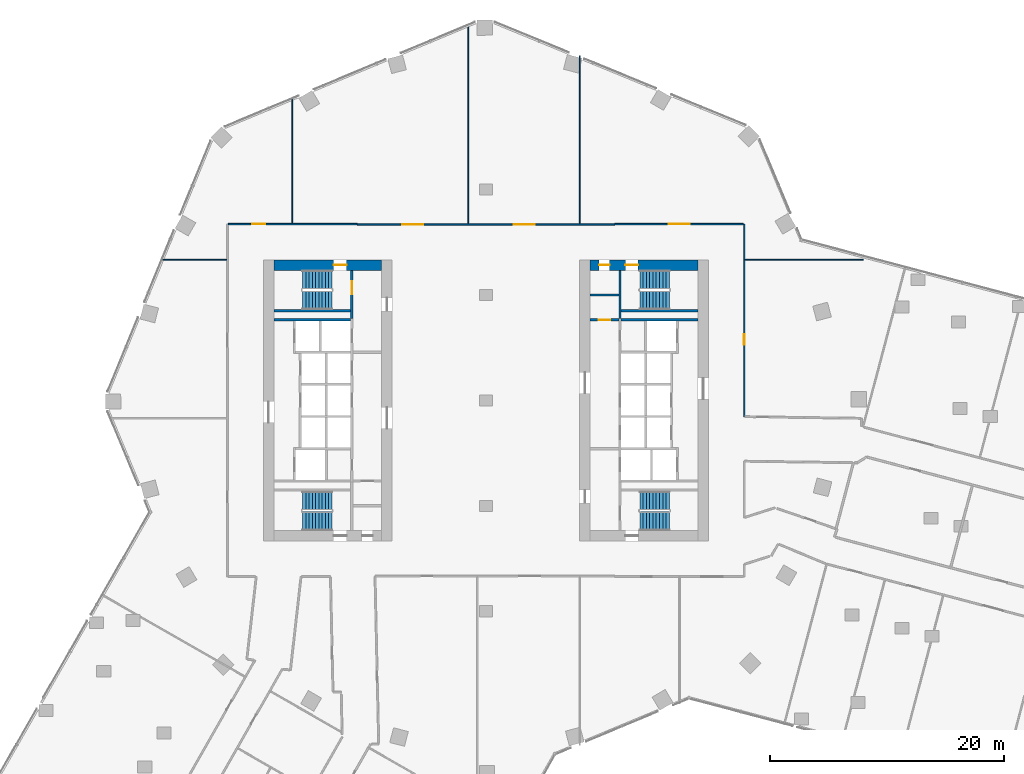
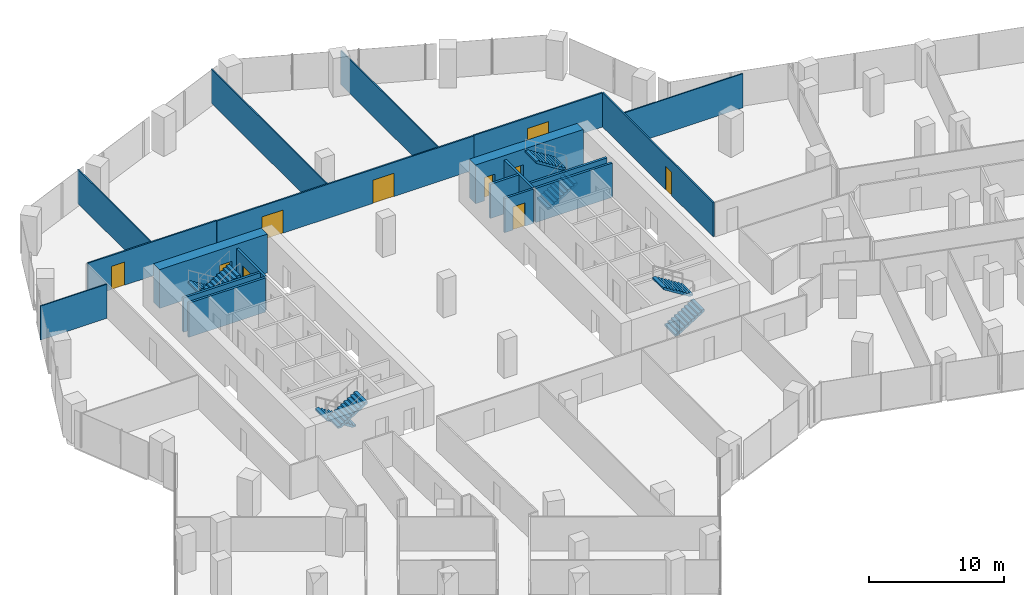
# One storey, part 30 of 34: 19 walls, 10 doors, 8 stair flights, 10 openings, 4 elements without a shape of their own.
"""IFC4 building model written with IfcOpenShell, lengths in metres."""

from ifc_helpers import new_model, si_unit, direction, frame, frame_2d, origin, place, context, subcontext, project, spatial, polyline, rectangle, outline, extrude, material, layer, layer_set, type_object, element, fill, aggregate, save


model = new_model("IFC4")

# Units and contexts
model_context = context("Model", 3, precision=1e-05, world=origin(), true_north=direction((0.0, 1.0)))
body_context = subcontext(model_context, "Body", "Model", "MODEL_VIEW")
ifc_project = project(units=[si_unit("LENGTHUNIT", "METRE"), si_unit("AREAUNIT", "SQUARE_METRE"), si_unit("VOLUMEUNIT", "CUBIC_METRE"), si_unit("PLANEANGLEUNIT", "RADIAN"), si_unit("MASSUNIT", "GRAM", prefix="KILO")], contexts=[model_context])

# Site, building, storey
site_placement = place(None, origin())
site = spatial("IfcSite", under=ifc_project, at=site_placement, CompositionType="ELEMENT")
building_placement = place(site_placement, origin())
building = spatial("IfcBuilding", under=site, at=building_placement, Name="Orlundy Tower", CompositionType="ELEMENT")
storey_placement = place(building_placement, frame((0.0, 0.0, 105.699951171875)))
storey = spatial("IfcBuildingStorey", under=building, at=storey_placement, Name="L26", CompositionType="ELEMENT", Elevation=105.699951171875)

# Wall, opening, door
ifc_material_1 = material(Name="Concrete C80/95", Category="concrete")
ifc_layer_1 = layer(ifc_material_1, 0.89990234375)
ifc_layer_set_1 = layer_set([ifc_layer_1], Name="CORE WALL 900 C80/95")
wall_type_1 = type_object("IfcWallType", Name="CORE WALL 900 C80/95", PredefinedType="SHEAR", material=ifc_layer_set_1)
wall_1_placement = place(storey_placement, frame((-18.10009765625, 11.550048828125, 0.0), z_axis=(0.0, 0.0, 1.0), x_axis=(1.0, 0.0, 0.0)))
wall_1 = element("IfcWall", 1, at=wall_1_placement, inside=storey, type_object=wall_type_1, Name="Core wall W-N L26", PredefinedType="SHEAR", context=body_context, shape_type="SweptSolid", body=[
    extrude(rectangle(XDim=9.2001953125, YDim=0.89990234375, at=frame_2d((4.60009765625, 0.0))), origin(), (0.0, 0.0, 1.0), 3.5),
])
opening_1_placement = place(wall_1_placement, frame((5.10009765625, 0.0, 0.0)))
opening_1 = element("IfcOpeningElement", 2, at=opening_1_placement, cuts=wall_1, Name="Opening 21012", PredefinedType="OPENING", context=body_context, shape_type="SweptSolid", body=[
    extrude(rectangle(XDim=1.10009765625, YDim=2.10009765625, at=frame_2d((0.550048828125, 1.050048828125))), frame((0.0, 0.4599609375, 0.0), z_axis=(0.0, -1.0, 0.0), x_axis=(1.0, 0.0, 0.0)), (0.0, 0.0, 1.0), 0.919921875),
])
ifc_material_2 = material(Name="Steel door set", Category="steel")
door_type_1 = type_object("IfcDoorType", Name="Stair Door 1100x2100", OperationType="SINGLE_SWING_LEFT", PredefinedType="DOOR", material=ifc_material_2)
door_1_placement = place(opening_1_placement, origin())
door_1 = element("IfcDoor", 3, at=door_1_placement, inside=storey, type_object=door_type_1, Name="Stair door 21012", OperationType="SINGLE_SWING_RIGHT", OverallHeight=2.10009765625, OverallWidth=1.10009765625, PredefinedType="DOOR", context=body_context, shape_type="SweptSolid", body=[
    extrude(rectangle(XDim=1.10009765625, YDim=2.10009765625, at=frame_2d((0.550048828125, 1.050048828125))), frame((0.0, 0.02490234375, 0.0), z_axis=(0.0, -1.0, 0.0), x_axis=(1.0, 0.0, 0.0)), (0.0, 0.0, 1.0), 0.050048828125),
])
fill(opening_1, door_1)

# Wall, openings, doors
wall_2_placement = place(storey_placement, frame((8.89990234375, 11.550048828125, 0.0), z_axis=(0.0, 0.0, 1.0), x_axis=(1.0, 0.0, 0.0)))
wall_2 = element("IfcWall", 4, at=wall_2_placement, inside=storey, type_object=wall_type_1, Name="Core wall E-N L26", PredefinedType="SHEAR", context=body_context, shape_type="SweptSolid", body=[
    extrude(rectangle(XDim=9.2001953125, YDim=0.89990234375, at=frame_2d((4.60009765625, 0.0))), origin(), (0.0, 0.0, 1.0), 3.5),
])
opening_2_placement = place(wall_2_placement, frame((3.0, 0.0, 0.0)))
opening_2 = element("IfcOpeningElement", 5, at=opening_2_placement, cuts=wall_2, Name="Opening 21062", PredefinedType="OPENING", context=body_context, shape_type="SweptSolid", body=[
    extrude(rectangle(XDim=1.10009765625, YDim=2.10009765625, at=frame_2d((0.550048828125, 1.050048828125))), frame((0.0, 0.4599609375, 0.0), z_axis=(0.0, -1.0, 0.0), x_axis=(1.0, 0.0, 0.0)), (0.0, 0.0, 1.0), 0.919921875),
])
opening_3_placement = place(wall_2_placement, frame((0.77001953125, 0.0, 0.0)))
opening_3 = element("IfcOpeningElement", 6, at=opening_3_placement, cuts=wall_2, Name="Opening 21064", PredefinedType="OPENING", context=body_context, shape_type="SweptSolid", body=[
    extrude(rectangle(XDim=0.89990234375, YDim=2.10009765625, at=frame_2d((0.449951171875, 1.050048828125))), frame((0.0, 0.4599609375, 0.0), z_axis=(0.0, -1.0, 0.0), x_axis=(1.0, 0.0, 0.0)), (0.0, 0.0, 1.0), 0.919921875),
])
ifc_material_3 = material(Name="Timber door set", Category="wood")
door_type_2 = type_object("IfcDoorType", Name="Room Door 900x2100", OperationType="SINGLE_SWING_LEFT", PredefinedType="DOOR", material=ifc_material_3)
door_2_placement = place(opening_3_placement, origin())
door_2 = element("IfcDoor", 7, at=door_2_placement, inside=storey, type_object=door_type_2, Name="Store door 21064", OperationType="SINGLE_SWING_LEFT", OverallHeight=2.10009765625, OverallWidth=0.89990234375, PredefinedType="DOOR", context=body_context, shape_type="SweptSolid", body=[
    extrude(rectangle(XDim=0.89990234375, YDim=2.10009765625, at=frame_2d((0.449951171875, 1.050048828125))), frame((0.0, 0.02490234375, 0.0), z_axis=(0.0, -1.0, 0.0), x_axis=(1.0, 0.0, 0.0)), (0.0, 0.0, 1.0), 0.050048828125),
])
fill(opening_3, door_2)
door_3_placement = place(opening_2_placement, origin())
door_3 = element("IfcDoor", 8, at=door_3_placement, inside=storey, type_object=door_type_1, Name="Stair door 21062", OperationType="SINGLE_SWING_LEFT", OverallHeight=2.10009765625, OverallWidth=1.10009765625, PredefinedType="DOOR", context=body_context, shape_type="SweptSolid", body=[
    extrude(rectangle(XDim=1.10009765625, YDim=2.10009765625, at=frame_2d((0.550048828125, 1.050048828125))), frame((0.0, 0.02490234375, 0.0), z_axis=(0.0, -1.0, 0.0), x_axis=(1.0, 0.0, 0.0)), (0.0, 0.0, 1.0), 0.050048828125),
])
fill(opening_2, door_3)

# Walls
ifc_material_4 = material(Name="Gypsum board partition")
ifc_layer_2 = layer(ifc_material_4, 0.10009765625)
ifc_layer_set_2 = layer_set([ifc_layer_2], Name="Floor partition 100")
wall_type_2 = type_object("IfcWallType", Name="Floor partition 100", PredefinedType="PARTITIONING", material=ifc_layer_set_2)
wall_3_placement = place(storey_placement, frame((-27.77392578125, 12.0, 0.0), z_axis=(0.0, 0.0, 1.0), x_axis=(1.0, 0.0, 0.0)))
element("IfcWall", 9, at=wall_3_placement, inside=storey, type_object=wall_type_2, Name="wall-int-L26-036", PredefinedType="PARTITIONING", context=body_context, shape_type="SweptSolid", body=[
    extrude(rectangle(XDim=5.660888671875, YDim=0.10009765625, at=frame_2d((2.83056640625, 0.0))), origin(), (0.0, 0.0, 1.0), 3.080078125),
])
wall_4_placement = place(storey_placement, frame((22.113037109375, 12.0, 0.0), z_axis=(0.0, 0.0, 1.0), x_axis=(1.0, 0.0, 0.0)))
element("IfcWall", 10, at=wall_4_placement, inside=storey, type_object=wall_type_2, Name="wall-int-L26-037", PredefinedType="PARTITIONING", context=body_context, shape_type="SweptSolid", body=[
    extrude(rectangle(XDim=10.113037109375, YDim=0.10009765625, at=frame_2d((5.056640625, 0.0))), origin(), (0.0, 0.0, 1.0), 3.080078125),
])
wall_5_placement = place(storey_placement, frame((8.0, 15.06298828125, 0.0), z_axis=(0.0, 0.0, 1.0), x_axis=(0.0, 1.0, 0.0)))
element("IfcWall", 11, at=wall_5_placement, inside=storey, type_object=wall_type_2, Name="wall-int-L26-078", PredefinedType="PARTITIONING", context=body_context, shape_type="SweptSolid", body=[
    extrude(rectangle(XDim=14.35400390625, YDim=0.10009765625, at=frame_2d((7.177001953125, 0.0))), origin(), (0.0, 0.0, 1.0), 3.080078125),
])
wall_6_placement = place(storey_placement, frame((-1.4951171875, 15.06298828125, 0.0), z_axis=(0.0, 0.0, 1.0), x_axis=(0.0, 1.0, 0.0)))
element("IfcWall", 12, at=wall_6_placement, inside=storey, type_object=wall_type_2, Name="wall-int-L26-080", PredefinedType="PARTITIONING", context=body_context, shape_type="SweptSolid", body=[
    extrude(rectangle(XDim=17.094970703125, YDim=0.10009765625, at=frame_2d((8.54736328125, 0.0))), origin(), (0.0, 0.0, 1.0), 3.080078125),
])
wall_7_placement = place(storey_placement, frame((-16.52001953125, 15.114013671875, 0.0), z_axis=(0.0, 0.0, 1.0), x_axis=(0.0, 1.0, 0.0)))
element("IfcWall", 13, at=wall_7_placement, inside=storey, type_object=wall_type_2, Name="wall-int-L26-081", PredefinedType="PARTITIONING", context=body_context, shape_type="SweptSolid", body=[
    extrude(rectangle(XDim=10.76904296875, YDim=0.10009765625, at=frame_2d((5.384521484375, 0.0))), origin(), (0.0, 0.0, 1.0), 3.080078125),
])

# Wall, openings, doors
ifc_material_5 = material(Name="Gypsum board partition, double layer")
ifc_layer_3 = layer(ifc_material_5, 0.125)
ifc_layer_set_3 = layer_set([ifc_layer_3], Name="Floor partition 125")
wall_type_3 = type_object("IfcWallType", Name="Floor partition 125", PredefinedType="PARTITIONING", material=ifc_layer_set_3)
wall_8_placement = place(storey_placement, frame((-10.989990234375, 15.0009765625, 0.0), z_axis=(0.0, 0.0, 1.0), x_axis=(1.0, 0.0, 0.0)))
wall_8 = element("IfcWall", 14, at=wall_8_placement, inside=storey, type_object=wall_type_3, Name="wall-int-L26-038", PredefinedType="PARTITIONING", context=body_context, shape_type="SweptSolid", body=[
    extrude(rectangle(XDim=21.97998046875, YDim=0.125, at=frame_2d((10.989990234375, 0.0))), origin(), (0.0, 0.0, 1.0), 3.080078125),
])
opening_4_placement = place(wall_8_placement, frame((13.344970703125, 0.0, 0.0)))
opening_4 = element("IfcOpeningElement", 15, at=opening_4_placement, cuts=wall_8, Name="Opening 21130", PredefinedType="OPENING", context=body_context, shape_type="SweptSolid", body=[
    extrude(rectangle(XDim=1.800048828125, YDim=2.10009765625, at=frame_2d((0.89990234375, 1.050048828125))), frame((0.0, 0.072509765625, 0.0), z_axis=(0.0, -1.0, 0.0), x_axis=(1.0, 0.0, 0.0)), (0.0, 0.0, 1.0), 0.14501953125),
])
opening_5_placement = place(wall_8_placement, frame((3.85009765625, 0.0, 0.0)))
opening_5 = element("IfcOpeningElement", 16, at=opening_5_placement, cuts=wall_8, Name="Opening 21131", PredefinedType="OPENING", context=body_context, shape_type="SweptSolid", body=[
    extrude(rectangle(XDim=1.800048828125, YDim=2.10009765625, at=frame_2d((0.89990234375, 1.050048828125))), frame((0.0, 0.072509765625, 0.0), z_axis=(0.0, -1.0, 0.0), x_axis=(1.0, 0.0, 0.0)), (0.0, 0.0, 1.0), 0.14501953125),
])
ifc_material_6 = material(Name="Timber door leaf", Category="wood")
door_type_3 = type_object("IfcDoorType", Name="Floor door double 1800 FD30S", OperationType="NOTDEFINED", PredefinedType="DOOR", material=ifc_material_6)
door_4_placement = place(opening_4_placement, origin())
door_4 = element("IfcDoor", 17, at=door_4_placement, inside=storey, type_object=door_type_3, Name="Door 21130", OperationType="DOUBLE_DOOR_SINGLE_SWING", OverallHeight=2.10009765625, OverallWidth=1.800048828125, PredefinedType="DOOR", context=body_context, shape_type="SweptSolid", body=[
    extrude(rectangle(XDim=1.800048828125, YDim=2.10009765625, at=frame_2d((0.89990234375, 1.050048828125))), frame((0.0, 0.02490234375, 0.0), z_axis=(0.0, -1.0, 0.0), x_axis=(1.0, 0.0, 0.0)), (0.0, 0.0, 1.0), 0.050048828125),
])
fill(opening_4, door_4)
door_5_placement = place(opening_5_placement, origin())
door_5 = element("IfcDoor", 18, at=door_5_placement, inside=storey, type_object=door_type_3, Name="Door 21131", OperationType="DOUBLE_DOOR_SINGLE_SWING", OverallHeight=2.10009765625, OverallWidth=1.800048828125, PredefinedType="DOOR", context=body_context, shape_type="SweptSolid", body=[
    extrude(rectangle(XDim=1.800048828125, YDim=2.10009765625, at=frame_2d((0.89990234375, 1.050048828125))), frame((0.0, 0.02490234375, 0.0), z_axis=(0.0, -1.0, 0.0), x_axis=(1.0, 0.0, 0.0)), (0.0, 0.0, 1.0), 0.050048828125),
])
fill(opening_5, door_5)

# Wall, opening, door
wall_9_placement = place(storey_placement, frame((-21.988037109375, 15.051025390625, 0.0), z_axis=(0.0, 0.0, 1.0), x_axis=(1.0, 0.0, 0.0)))
wall_9 = element("IfcWall", 19, at=wall_9_placement, inside=storey, type_object=wall_type_3, Name="wall-int-L26-039", PredefinedType="PARTITIONING", context=body_context, shape_type="SweptSolid", body=[
    extrude(rectangle(XDim=10.9970703125, YDim=0.125, at=frame_2d((5.49853515625, 0.0))), origin(), (0.0, 0.0, 1.0), 3.080078125),
])
opening_6_placement = place(wall_9_placement, frame((2.03759765625, 0.0, 0.0)))
opening_6 = element("IfcOpeningElement", 20, at=opening_6_placement, cuts=wall_9, Name="Opening 21132", PredefinedType="OPENING", context=body_context, shape_type="SweptSolid", body=[
    extrude(rectangle(XDim=1.10009765625, YDim=2.10009765625, at=frame_2d((0.550048828125, 1.050048828125))), frame((0.0, 0.072509765625, 0.0), z_axis=(0.0, -1.0, 0.0), x_axis=(1.0, 0.0, 0.0)), (0.0, 0.0, 1.0), 0.14501953125),
])
ifc_material_7 = material(Name="Timber door leaf", Category="wood")
door_type_4 = type_object("IfcDoorType", Name="Floor door xwide 1100 FD30S", OperationType="NOTDEFINED", PredefinedType="DOOR", material=ifc_material_7)
door_6_placement = place(opening_6_placement, origin())
door_6 = element("IfcDoor", 21, at=door_6_placement, inside=storey, type_object=door_type_4, Name="Door 21132", OperationType="SINGLE_SWING_LEFT", OverallHeight=2.10009765625, OverallWidth=1.10009765625, PredefinedType="DOOR", context=body_context, shape_type="SweptSolid", body=[
    extrude(rectangle(XDim=1.10009765625, YDim=2.10009765625, at=frame_2d((0.550048828125, 1.050048828125))), frame((0.0, 0.02490234375, 0.0), z_axis=(0.0, -1.0, 0.0), x_axis=(1.0, 0.0, 0.0)), (0.0, 0.0, 1.0), 0.050048828125),
])
fill(opening_6, door_6)

wall_10_placement = place(storey_placement, frame((10.990966796875, 15.051025390625, 0.0), z_axis=(0.0, 0.0, 1.0), x_axis=(1.0, 0.0, 0.0)))
wall_10 = element("IfcWall", 22, at=wall_10_placement, inside=storey, type_object=wall_type_3, Name="wall-int-L26-040", PredefinedType="PARTITIONING", context=body_context, shape_type="SweptSolid", body=[
    extrude(rectangle(XDim=10.9970703125, YDim=0.125, at=frame_2d((5.49853515625, 0.0))), origin(), (0.0, 0.0, 1.0), 3.080078125),
])
opening_7_placement = place(wall_10_placement, frame((4.60009765625, 0.0, 0.0)))
opening_7 = element("IfcOpeningElement", 23, at=opening_7_placement, cuts=wall_10, Name="Opening 21129", PredefinedType="OPENING", context=body_context, shape_type="SweptSolid", body=[
    extrude(rectangle(XDim=1.800048828125, YDim=2.10009765625, at=frame_2d((0.89990234375, 1.050048828125))), frame((0.0, 0.072509765625, 0.0), z_axis=(0.0, -1.0, 0.0), x_axis=(1.0, 0.0, 0.0)), (0.0, 0.0, 1.0), 0.14501953125),
])
door_7_placement = place(opening_7_placement, origin())
door_7 = element("IfcDoor", 24, at=door_7_placement, inside=storey, type_object=door_type_3, Name="Door 21129", OperationType="DOUBLE_DOOR_SINGLE_SWING", OverallHeight=2.10009765625, OverallWidth=1.800048828125, PredefinedType="DOOR", context=body_context, shape_type="SweptSolid", body=[
    extrude(rectangle(XDim=1.800048828125, YDim=2.10009765625, at=frame_2d((0.89990234375, 1.050048828125))), frame((0.0, 0.02490234375, 0.0), z_axis=(0.0, -1.0, 0.0), x_axis=(1.0, 0.0, 0.0)), (0.0, 0.0, 1.0), 0.050048828125),
])
fill(opening_7, door_7)

wall_11_placement = place(storey_placement, frame((22.051025390625, 15.050048828125, 0.0), z_axis=(0.0, 0.0, 1.0), x_axis=(0.0, -1.0, 0.0)))
wall_11 = element("IfcWall", 25, at=wall_11_placement, inside=storey, type_object=wall_type_3, Name="wall-int-L26-075", PredefinedType="PARTITIONING", context=body_context, shape_type="SweptSolid", body=[
    extrude(rectangle(XDim=16.43603515625, YDim=0.125, at=frame_2d((8.218017578125, 0.0))), origin(), (0.0, 0.0, 1.0), 3.080078125),
])
opening_8_placement = place(wall_11_placement, frame((9.39990234375, 0.0, 0.0)))
opening_8 = element("IfcOpeningElement", 26, at=opening_8_placement, cuts=wall_11, Name="Opening 21127", PredefinedType="OPENING", context=body_context, shape_type="SweptSolid", body=[
    extrude(rectangle(XDim=0.89990234375, YDim=2.10009765625, at=frame_2d((0.449951171875, 1.050048828125))), frame((0.0, 0.072509765625, 0.0), z_axis=(0.0, -1.0, 0.0), x_axis=(1.0, 0.0, 0.0)), (0.0, 0.0, 1.0), 0.14501953125),
])
ifc_material_8 = material(Name="Timber door leaf", Category="wood")
door_type_5 = type_object("IfcDoorType", Name="Floor door single 900 FD30S", OperationType="NOTDEFINED", PredefinedType="DOOR", material=ifc_material_8)
door_8_placement = place(opening_8_placement, origin())
door_8 = element("IfcDoor", 27, at=door_8_placement, inside=storey, type_object=door_type_5, Name="Door 21127", OperationType="SINGLE_SWING_RIGHT", OverallHeight=2.10009765625, OverallWidth=0.89990234375, PredefinedType="DOOR", context=body_context, shape_type="SweptSolid", body=[
    extrude(rectangle(XDim=0.89990234375, YDim=2.10009765625, at=frame_2d((0.449951171875, 1.050048828125))), frame((0.0, 0.02490234375, 0.0), z_axis=(0.0, -1.0, 0.0), x_axis=(1.0, 0.0, 0.0)), (0.0, 0.0, 1.0), 0.050048828125),
])
fill(opening_8, door_8)

ifc_material_9 = material(Name="Concrete C40/50", Category="concrete")
ifc_layer_4 = layer(ifc_material_9, 0.199951171875)
ifc_layer_set_4 = layer_set([ifc_layer_4], Name="Load-bearing Shaft Wall 200")
wall_type_4 = type_object("IfcWallType", Name="Load-bearing Shaft Wall 200", PredefinedType="SOLIDWALL", material=ifc_layer_set_4)
wall_12_placement = place(storey_placement, frame((-11.43994140625, 6.97509765625, 0.0), z_axis=(0.0, 0.0, 1.0), x_axis=(0.0, 1.0, 0.0)))
wall_12 = element("IfcWall", 28, at=wall_12_placement, inside=storey, type_object=wall_type_4, Name="Shaft wall W21-stair-end-n", PredefinedType="SOLIDWALL", context=body_context, shape_type="SweptSolid", body=[
    extrude(rectangle(XDim=4.125, YDim=0.199951171875, at=frame_2d((2.0625, 0.0))), origin(), (0.0, 0.0, 1.0), 3.090087890625),
])
opening_9_placement = place(wall_12_placement, frame((2.10009765625, 0.0, 0.0)))
opening_9 = element("IfcOpeningElement", 29, at=opening_9_placement, cuts=wall_12, Name="Opening 21014", PredefinedType="OPENING", context=body_context, shape_type="SweptSolid", body=[
    extrude(rectangle(XDim=1.10009765625, YDim=2.10009765625, at=frame_2d((0.550048828125, 1.050048828125))), frame((0.0, 0.110107421875, 0.0), z_axis=(0.0, -1.0, 0.0), x_axis=(1.0, 0.0, 0.0)), (0.0, 0.0, 1.0), 0.22021484375),
])
ifc_material_10 = material(Name="Steel door set", Category="steel")
door_type_6 = type_object("IfcDoorType", Name="Fire-fighting Lobby Door 1100x2100", OperationType="SINGLE_SWING_LEFT", PredefinedType="DOOR", material=ifc_material_10)
door_9_placement = place(opening_9_placement, origin())
door_9 = element("IfcDoor", 30, at=door_9_placement, inside=storey, type_object=door_type_6, Name="Fire-fighting lobby to stair door 21014", OperationType="SINGLE_SWING_RIGHT", OverallHeight=2.10009765625, OverallWidth=1.10009765625, PredefinedType="DOOR", context=body_context, shape_type="SweptSolid", body=[
    extrude(rectangle(XDim=1.10009765625, YDim=2.10009765625, at=frame_2d((0.550048828125, 1.050048828125))), frame((0.0, 0.02490234375, 0.0), z_axis=(0.0, -1.0, 0.0), x_axis=(1.0, 0.0, 0.0)), (0.0, 0.0, 1.0), 0.050048828125),
])
fill(opening_9, door_9)

# Walls
wall_13_placement = place(storey_placement, frame((-11.5400390625, 7.64990234375, 0.0), z_axis=(0.0, 0.0, 1.0), x_axis=(-1.0, 0.0, 0.0)))
element("IfcWall", 31, at=wall_13_placement, inside=storey, type_object=wall_type_4, Name="Shaft wall W21-stair-side-n", PredefinedType="SOLIDWALL", context=body_context, shape_type="SweptSolid", body=[
    extrude(rectangle(XDim=6.56005859375, YDim=0.199951171875, at=frame_2d((3.280029296875, 0.0))), origin(), (0.0, 0.0, 1.0), 3.090087890625),
])
wall_14_placement = place(storey_placement, frame((11.43994140625, 11.10009765625, 0.0), z_axis=(0.0, 0.0, 1.0), x_axis=(0.0, -1.0, 0.0)))
element("IfcWall", 32, at=wall_14_placement, inside=storey, type_object=wall_type_4, Name="Shaft wall E21-stair-end-s", PredefinedType="SOLIDWALL", context=body_context, shape_type="SweptSolid", body=[
    extrude(rectangle(XDim=4.125, YDim=0.199951171875, at=frame_2d((2.0625, 0.0))), origin(), (0.0, 0.0, 1.0), 3.090087890625),
])
wall_15_placement = place(storey_placement, frame((11.5400390625, 7.64990234375, 0.0), z_axis=(0.0, 0.0, 1.0), x_axis=(1.0, 0.0, 0.0)))
element("IfcWall", 33, at=wall_15_placement, inside=storey, type_object=wall_type_4, Name="Shaft wall E21-stair-side-s", PredefinedType="SOLIDWALL", context=body_context, shape_type="SweptSolid", body=[
    extrude(rectangle(XDim=6.56005859375, YDim=0.199951171875, at=frame_2d((3.280029296875, 0.0))), origin(), (0.0, 0.0, 1.0), 3.090087890625),
])

# Wall, opening, door
ifc_material_11 = material(Name="Gypsum board partition on steel studs", Category="steel")
ifc_layer_5 = layer(ifc_material_11, 0.199951171875)
ifc_layer_set_5 = layer_set([ifc_layer_5], Name="Partition 200")
wall_type_5 = type_object("IfcWallType", Name="Partition 200", PredefinedType="PARTITIONING", material=ifc_layer_set_5)
wall_16_placement = place(storey_placement, frame((8.89990234375, 6.875, 0.0), z_axis=(0.0, 0.0, 1.0), x_axis=(1.0, 0.0, 0.0)))
wall_16 = element("IfcWall", 34, at=wall_16_placement, inside=storey, type_object=wall_type_5, Name="Partition wall E21-end-s", PredefinedType="PARTITIONING", context=body_context, shape_type="SweptSolid", body=[
    extrude(rectangle(XDim=2.440185546875, YDim=0.199951171875, at=frame_2d((1.22021484375, 0.0))), origin(), (0.0, 0.0, 1.0), 3.090087890625),
])
opening_10_placement = place(wall_16_placement, frame((0.719970703125, 0.0, 0.0)))
opening_10 = element("IfcOpeningElement", 35, at=opening_10_placement, cuts=wall_16, Name="Opening 21065", PredefinedType="OPENING", context=body_context, shape_type="SweptSolid", body=[
    extrude(rectangle(XDim=1.0, YDim=2.10009765625, at=frame_2d((0.5, 1.050048828125))), frame((0.0, 0.110107421875, 0.0), z_axis=(0.0, -1.0, 0.0), x_axis=(1.0, 0.0, 0.0)), (0.0, 0.0, 1.0), 0.22021484375),
])
ifc_material_12 = material(Name="Timber door set", Category="wood")
door_type_7 = type_object("IfcDoorType", Name="Accessible Door 1000x2100", OperationType="SINGLE_SWING_LEFT", PredefinedType="DOOR", material=ifc_material_12)
door_10_placement = place(opening_10_placement, origin())
door_10 = element("IfcDoor", 36, at=door_10_placement, inside=storey, type_object=door_type_7, Name="Accessible WC door 21065", OperationType="SINGLE_SWING_RIGHT", OverallHeight=2.10009765625, OverallWidth=1.0, PredefinedType="DOOR", context=body_context, shape_type="SweptSolid", body=[
    extrude(rectangle(XDim=1.0, YDim=2.10009765625, at=frame_2d((0.5, 1.050048828125))), frame((0.0, 0.02490234375, 0.0), z_axis=(0.0, -1.0, 0.0), x_axis=(1.0, 0.0, 0.0)), (0.0, 0.0, 1.0), 0.050048828125),
])
fill(opening_10, door_10)

# Walls
wall_17_placement = place(storey_placement, frame((8.89990234375, 9.0, 0.0), z_axis=(0.0, 0.0, 1.0), x_axis=(1.0, 0.0, 0.0)))
element("IfcWall", 37, at=wall_17_placement, inside=storey, type_object=wall_type_5, Name="Partition wall E21-room-s0", PredefinedType="PARTITIONING", context=body_context, shape_type="SweptSolid", body=[
    extrude(rectangle(XDim=2.440185546875, YDim=0.199951171875, at=frame_2d((1.22021484375, 0.0))), origin(), (0.0, 0.0, 1.0), 3.090087890625),
])
ifc_material_13 = material(Name="Fire-rated blockwork shaft wall", Category="masonry")
ifc_layer_6 = layer(ifc_material_13, 0.199951171875)
ifc_layer_set_6 = layer_set([ifc_layer_6], Name="Shaft Wall 200")
wall_type_6 = type_object("IfcWallType", Name="Shaft Wall 200", PredefinedType="SOLIDWALL", material=ifc_layer_set_6)
for number, where, z_axis, x_axis, name in (
    (38, (-11.5400390625, 6.875, 0.0), (0.0, 0.0, 1.0), (-1.0, 0.0, 0.0), "Shaft wall W21-zone-n"),
    (39, (11.5400390625, 6.875, 0.0), (0.0, 0.0, 1.0), (1.0, 0.0, 0.0), "Shaft wall E21-zone-s"),
):
    element("IfcWall", number, at=place(storey_placement, frame(where, z_axis=z_axis, x_axis=x_axis)), inside=storey, type_object=wall_type_6, Name=name, PredefinedType="SOLIDWALL", context=body_context, shape_type="SweptSolid", body=[
        extrude(rectangle(XDim=6.56005859375, YDim=0.199951171875, at=frame_2d((3.280029296875, 0.0))), origin(), (0.0, 0.0, 1.0), 3.090087890625),
    ])

# Stair, stair flights
ifc_material_14 = material(Name="Concrete C50/60", Category="concrete")
stair_type = type_object("IfcStairType", Name="Exit Stair 20 risers", PredefinedType="HALF_TURN_STAIR", material=ifc_material_14)
stair_1_placement = place(storey_placement, origin())
stair_1 = element("IfcStair", 40, at=stair_1_placement, inside=storey, type_object=stair_type, Name="L26 Exit Stair ST-W1", PredefinedType="HALF_TURN_STAIR")
ifc_material_15 = material(Name="Concrete C50/60", Category="concrete")
stair_flight_type = type_object("IfcStairFlightType", Name="Stair Flight 10 risers", PredefinedType="STRAIGHT", material=ifc_material_15)
stair_flight_1_placement = place(storey_placement, frame((-13.139892578125, 10.300048828125, 0.0), z_axis=(0.0, 0.0, 1.0), x_axis=(-1.0, 0.0, 0.0)))
stair_flight_1 = element("IfcStairFlight", 41, at=stair_flight_1_placement, type_object=stair_flight_type, Name="ST-W1 flight 1", NumberOfRisers=10, NumberOfTreads=9, PredefinedType="STRAIGHT", RiserHeight=0.175, TreadLength=0.28, context=body_context, shape_type="SweptSolid", body=[
    extrude(outline(polyline([(0.0, 0.0), (0.0, 0.175048828125), (0.280029296875, 0.175048828125), (0.280029296875, 0.35009765625), (0.56005859375, 0.35009765625), (0.56005859375, 0.52490234375), (0.840087890625, 0.52490234375), (0.840087890625, 0.699951171875), (1.1201171875, 0.699951171875), (1.1201171875, 0.875), (1.39990234375, 0.875), (1.39990234375, 1.050048828125), (1.679931640625, 1.050048828125), (1.679931640625, 1.22509765625), (1.9599609375, 1.22509765625), (1.9599609375, 1.39990234375), (2.239990234375, 1.39990234375), (2.239990234375, 1.574951171875), (2.52001953125, 1.574951171875), (2.52001953125, 1.75), (2.52001953125, 1.398193359375), (0.28271484375, 0.0), (0.0, 0.0)])), frame((0.0, 0.800048828125, 0.0), z_axis=(0.0, -1.0, 0.0), x_axis=(1.0, 0.0, 0.0)), (0.0, 0.0, 1.0), 1.60009765625),
])
stair_flight_2_placement = place(storey_placement, frame((-15.659912109375, 8.550048828125, 1.75), z_axis=(0.0, 0.0, 1.0), x_axis=(1.0, 0.0, 0.0)))
stair_flight_2 = element("IfcStairFlight", 42, at=stair_flight_2_placement, type_object=stair_flight_type, Name="ST-W1 flight 2", NumberOfRisers=10, NumberOfTreads=9, PredefinedType="STRAIGHT", RiserHeight=0.175, TreadLength=0.28, context=body_context, shape_type="SweptSolid", body=[
    extrude(outline(polyline([(0.0, 0.0), (0.0, 0.175048828125), (0.280029296875, 0.175048828125), (0.280029296875, 0.35009765625), (0.56005859375, 0.35009765625), (0.56005859375, 0.52490234375), (0.840087890625, 0.52490234375), (0.840087890625, 0.699951171875), (1.1201171875, 0.699951171875), (1.1201171875, 0.875), (1.39990234375, 0.875), (1.39990234375, 1.050048828125), (1.679931640625, 1.050048828125), (1.679931640625, 1.22509765625), (1.9599609375, 1.22509765625), (1.9599609375, 1.39990234375), (2.239990234375, 1.39990234375), (2.239990234375, 1.574951171875), (2.52001953125, 1.574951171875), (2.52001953125, 1.75), (2.52001953125, 1.398193359375), (0.28271484375, 0.0), (0.0, 0.0)])), frame((0.0, 0.800048828125, 0.0), z_axis=(0.0, -1.0, 0.0), x_axis=(1.0, 0.0, 0.0)), (0.0, 0.0, 1.0), 1.60009765625),
])
aggregate(stair_1, [stair_flight_1, stair_flight_2])

stair_2_placement = place(storey_placement, origin())
stair_2 = element("IfcStair", 43, at=stair_2_placement, inside=storey, type_object=stair_type, Name="L26 Exit Stair ST-W2", PredefinedType="HALF_TURN_STAIR")
stair_flight_3_placement = place(storey_placement, frame((-13.139892578125, -8.550048828125, 0.0), z_axis=(0.0, 0.0, 1.0), x_axis=(-1.0, 0.0, 0.0)))
stair_flight_3 = element("IfcStairFlight", 44, at=stair_flight_3_placement, type_object=stair_flight_type, Name="ST-W2 flight 1", NumberOfRisers=10, NumberOfTreads=9, PredefinedType="STRAIGHT", RiserHeight=0.175, TreadLength=0.28, context=body_context, shape_type="SweptSolid", body=[
    extrude(outline(polyline([(0.0, 0.0), (0.0, 0.175048828125), (0.280029296875, 0.175048828125), (0.280029296875, 0.35009765625), (0.56005859375, 0.35009765625), (0.56005859375, 0.52490234375), (0.840087890625, 0.52490234375), (0.840087890625, 0.699951171875), (1.1201171875, 0.699951171875), (1.1201171875, 0.875), (1.39990234375, 0.875), (1.39990234375, 1.050048828125), (1.679931640625, 1.050048828125), (1.679931640625, 1.22509765625), (1.9599609375, 1.22509765625), (1.9599609375, 1.39990234375), (2.239990234375, 1.39990234375), (2.239990234375, 1.574951171875), (2.52001953125, 1.574951171875), (2.52001953125, 1.75), (2.52001953125, 1.398193359375), (0.28271484375, 0.0), (0.0, 0.0)])), frame((0.0, 0.800048828125, 0.0), z_axis=(0.0, -1.0, 0.0), x_axis=(1.0, 0.0, 0.0)), (0.0, 0.0, 1.0), 1.60009765625),
])
stair_flight_4_placement = place(storey_placement, frame((-15.659912109375, -10.300048828125, 1.75), z_axis=(0.0, 0.0, 1.0), x_axis=(1.0, 0.0, 0.0)))
stair_flight_4 = element("IfcStairFlight", 45, at=stair_flight_4_placement, type_object=stair_flight_type, Name="ST-W2 flight 2", NumberOfRisers=10, NumberOfTreads=9, PredefinedType="STRAIGHT", RiserHeight=0.175, TreadLength=0.28, context=body_context, shape_type="SweptSolid", body=[
    extrude(outline(polyline([(0.0, 0.0), (0.0, 0.175048828125), (0.280029296875, 0.175048828125), (0.280029296875, 0.35009765625), (0.56005859375, 0.35009765625), (0.56005859375, 0.52490234375), (0.840087890625, 0.52490234375), (0.840087890625, 0.699951171875), (1.1201171875, 0.699951171875), (1.1201171875, 0.875), (1.39990234375, 0.875), (1.39990234375, 1.050048828125), (1.679931640625, 1.050048828125), (1.679931640625, 1.22509765625), (1.9599609375, 1.22509765625), (1.9599609375, 1.39990234375), (2.239990234375, 1.39990234375), (2.239990234375, 1.574951171875), (2.52001953125, 1.574951171875), (2.52001953125, 1.75), (2.52001953125, 1.398193359375), (0.28271484375, 0.0), (0.0, 0.0)])), frame((0.0, 0.800048828125, 0.0), z_axis=(0.0, -1.0, 0.0), x_axis=(1.0, 0.0, 0.0)), (0.0, 0.0, 1.0), 1.60009765625),
])
aggregate(stair_2, [stair_flight_3, stair_flight_4])

stair_3_placement = place(storey_placement, origin())
stair_3 = element("IfcStair", 46, at=stair_3_placement, inside=storey, type_object=stair_type, Name="L26 Exit Stair ST-E1", PredefinedType="HALF_TURN_STAIR")
stair_flight_5_placement = place(storey_placement, frame((13.139892578125, -10.300048828125, 0.0), z_axis=(0.0, 0.0, 1.0), x_axis=(1.0, 0.0, 0.0)))
stair_flight_5 = element("IfcStairFlight", 47, at=stair_flight_5_placement, type_object=stair_flight_type, Name="ST-E1 flight 1", NumberOfRisers=10, NumberOfTreads=9, PredefinedType="STRAIGHT", RiserHeight=0.175, TreadLength=0.28, context=body_context, shape_type="SweptSolid", body=[
    extrude(outline(polyline([(0.0, 0.0), (0.0, 0.175048828125), (0.280029296875, 0.175048828125), (0.280029296875, 0.35009765625), (0.56005859375, 0.35009765625), (0.56005859375, 0.52490234375), (0.840087890625, 0.52490234375), (0.840087890625, 0.699951171875), (1.1201171875, 0.699951171875), (1.1201171875, 0.875), (1.39990234375, 0.875), (1.39990234375, 1.050048828125), (1.679931640625, 1.050048828125), (1.679931640625, 1.22509765625), (1.9599609375, 1.22509765625), (1.9599609375, 1.39990234375), (2.239990234375, 1.39990234375), (2.239990234375, 1.574951171875), (2.52001953125, 1.574951171875), (2.52001953125, 1.75), (2.52001953125, 1.398193359375), (0.28271484375, 0.0), (0.0, 0.0)])), frame((0.0, 0.800048828125, 0.0), z_axis=(0.0, -1.0, 0.0), x_axis=(1.0, 0.0, 0.0)), (0.0, 0.0, 1.0), 1.60009765625),
])
stair_flight_6_placement = place(storey_placement, frame((15.659912109375, -8.550048828125, 1.75), z_axis=(0.0, 0.0, 1.0), x_axis=(-1.0, 0.0, 0.0)))
stair_flight_6 = element("IfcStairFlight", 48, at=stair_flight_6_placement, type_object=stair_flight_type, Name="ST-E1 flight 2", NumberOfRisers=10, NumberOfTreads=9, PredefinedType="STRAIGHT", RiserHeight=0.175, TreadLength=0.28, context=body_context, shape_type="SweptSolid", body=[
    extrude(outline(polyline([(0.0, 0.0), (0.0, 0.175048828125), (0.280029296875, 0.175048828125), (0.280029296875, 0.35009765625), (0.56005859375, 0.35009765625), (0.56005859375, 0.52490234375), (0.840087890625, 0.52490234375), (0.840087890625, 0.699951171875), (1.1201171875, 0.699951171875), (1.1201171875, 0.875), (1.39990234375, 0.875), (1.39990234375, 1.050048828125), (1.679931640625, 1.050048828125), (1.679931640625, 1.22509765625), (1.9599609375, 1.22509765625), (1.9599609375, 1.39990234375), (2.239990234375, 1.39990234375), (2.239990234375, 1.574951171875), (2.52001953125, 1.574951171875), (2.52001953125, 1.75), (2.52001953125, 1.398193359375), (0.28271484375, 0.0), (0.0, 0.0)])), frame((0.0, 0.800048828125, 0.0), z_axis=(0.0, -1.0, 0.0), x_axis=(1.0, 0.0, 0.0)), (0.0, 0.0, 1.0), 1.60009765625),
])
aggregate(stair_3, [stair_flight_5, stair_flight_6])

stair_4_placement = place(storey_placement, origin())
stair_4 = element("IfcStair", 49, at=stair_4_placement, inside=storey, type_object=stair_type, Name="L26 Exit Stair ST-E2", PredefinedType="HALF_TURN_STAIR")
stair_flight_7_placement = place(storey_placement, frame((13.139892578125, 8.550048828125, 0.0), z_axis=(0.0, 0.0, 1.0), x_axis=(1.0, 0.0, 0.0)))
stair_flight_7 = element("IfcStairFlight", 50, at=stair_flight_7_placement, type_object=stair_flight_type, Name="ST-E2 flight 1", NumberOfRisers=10, NumberOfTreads=9, PredefinedType="STRAIGHT", RiserHeight=0.175, TreadLength=0.28, context=body_context, shape_type="SweptSolid", body=[
    extrude(outline(polyline([(0.0, 0.0), (0.0, 0.175048828125), (0.280029296875, 0.175048828125), (0.280029296875, 0.35009765625), (0.56005859375, 0.35009765625), (0.56005859375, 0.52490234375), (0.840087890625, 0.52490234375), (0.840087890625, 0.699951171875), (1.1201171875, 0.699951171875), (1.1201171875, 0.875), (1.39990234375, 0.875), (1.39990234375, 1.050048828125), (1.679931640625, 1.050048828125), (1.679931640625, 1.22509765625), (1.9599609375, 1.22509765625), (1.9599609375, 1.39990234375), (2.239990234375, 1.39990234375), (2.239990234375, 1.574951171875), (2.52001953125, 1.574951171875), (2.52001953125, 1.75), (2.52001953125, 1.398193359375), (0.28271484375, 0.0), (0.0, 0.0)])), frame((0.0, 0.800048828125, 0.0), z_axis=(0.0, -1.0, 0.0), x_axis=(1.0, 0.0, 0.0)), (0.0, 0.0, 1.0), 1.60009765625),
])
stair_flight_8_placement = place(storey_placement, frame((15.659912109375, 10.300048828125, 1.75), z_axis=(0.0, 0.0, 1.0), x_axis=(-1.0, 0.0, 0.0)))
stair_flight_8 = element("IfcStairFlight", 51, at=stair_flight_8_placement, type_object=stair_flight_type, Name="ST-E2 flight 2", NumberOfRisers=10, NumberOfTreads=9, PredefinedType="STRAIGHT", RiserHeight=0.175, TreadLength=0.28, context=body_context, shape_type="SweptSolid", body=[
    extrude(outline(polyline([(0.0, 0.0), (0.0, 0.175048828125), (0.280029296875, 0.175048828125), (0.280029296875, 0.35009765625), (0.56005859375, 0.35009765625), (0.56005859375, 0.52490234375), (0.840087890625, 0.52490234375), (0.840087890625, 0.699951171875), (1.1201171875, 0.699951171875), (1.1201171875, 0.875), (1.39990234375, 0.875), (1.39990234375, 1.050048828125), (1.679931640625, 1.050048828125), (1.679931640625, 1.22509765625), (1.9599609375, 1.22509765625), (1.9599609375, 1.39990234375), (2.239990234375, 1.39990234375), (2.239990234375, 1.574951171875), (2.52001953125, 1.574951171875), (2.52001953125, 1.75), (2.52001953125, 1.398193359375), (0.28271484375, 0.0), (0.0, 0.0)])), frame((0.0, 0.800048828125, 0.0), z_axis=(0.0, -1.0, 0.0), x_axis=(1.0, 0.0, 0.0)), (0.0, 0.0, 1.0), 1.60009765625),
])
aggregate(stair_4, [stair_flight_7, stair_flight_8])

save(model, "model.ifc")
